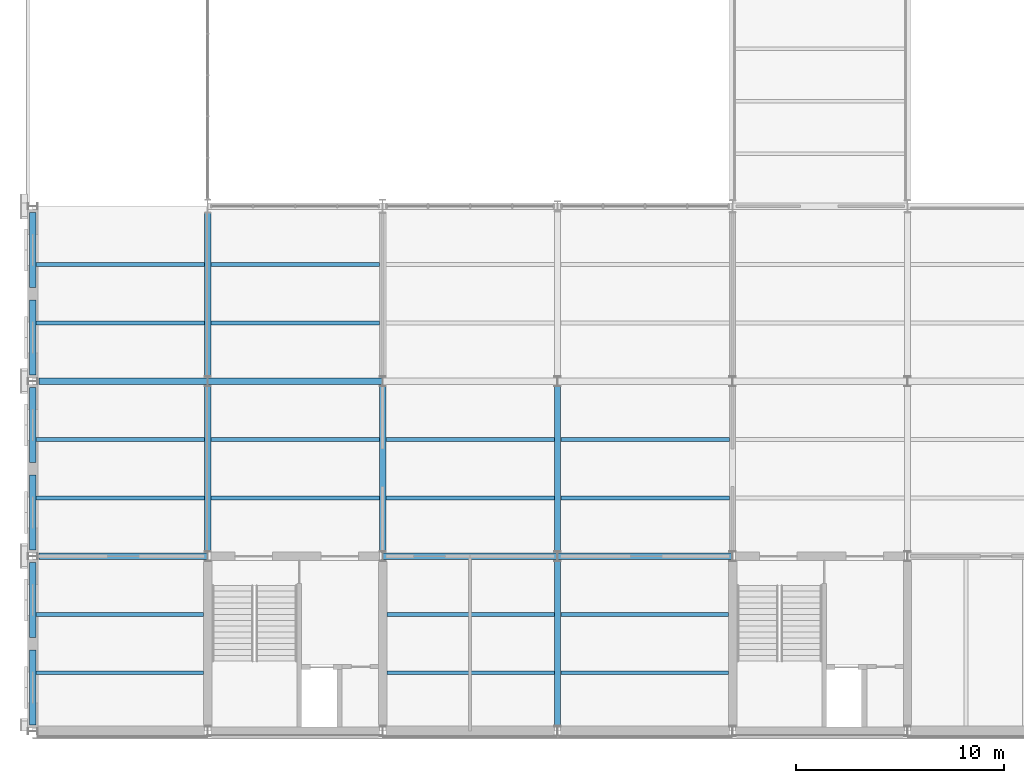
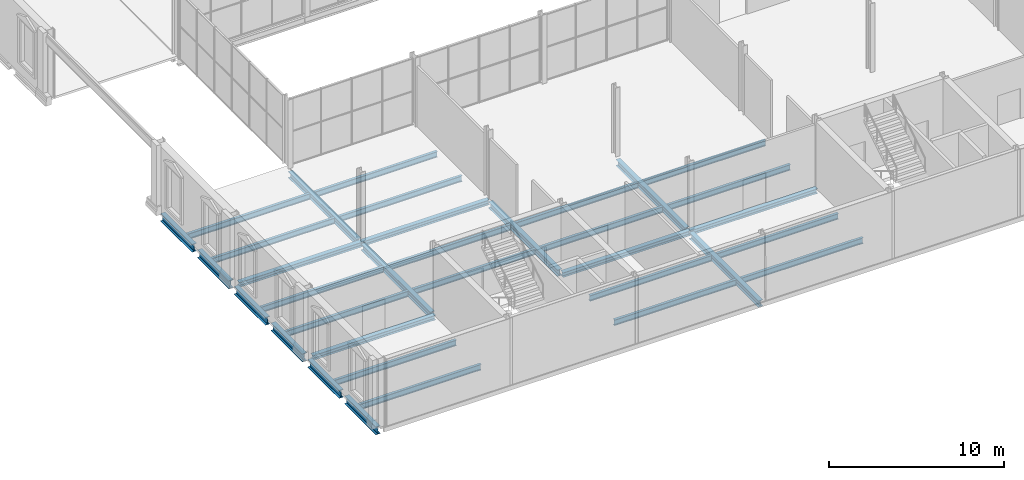
# One storey, part 9 of 61: 34 beams.
"""IFC4 building model written with IfcOpenShell, lengths in metres."""

from ifc_helpers import new_model, si_unit, direction, frame, origin, origin_2d, place, context, subcontext, project, spatial, i_section, extrude, material, material_profile, profile_set, type_object, element, save


model = new_model("IFC4")

# Units and contexts
model_context = context("Model", 3, precision=1e-05, world=origin(), true_north=direction((0.0, 1.0)))
body_context = subcontext(model_context, "Body", "Model", "MODEL_VIEW")
ifc_project = project(units=[si_unit("LENGTHUNIT", "METRE"), si_unit("AREAUNIT", "SQUARE_METRE"), si_unit("VOLUMEUNIT", "CUBIC_METRE"), si_unit("PLANEANGLEUNIT", "RADIAN"), si_unit("MASSUNIT", "GRAM", prefix="KILO")], contexts=[model_context])

# Site, building, storey
site_placement = place(None, origin())
site = spatial("IfcSite", under=ifc_project, at=site_placement, CompositionType="ELEMENT")
building_placement = place(site_placement, origin())
building = spatial("IfcBuilding", under=site, at=building_placement, Name="Galleria Vessillo Department Store", CompositionType="ELEMENT")
storey_placement = place(building_placement, frame((0.0, 0.0, 11.39990234375)))
storey = spatial("IfcBuildingStorey", under=building, at=storey_placement, Name="L02", CompositionType="ELEMENT", Elevation=11.39990234375)

# Beams
ifc_material_1 = material(Name="Steel S355 J2", Category="steel")
ifc_material_profile_1 = material_profile(ifc_material_1, i_section(OverallWidth=0.300048828125, OverallDepth=0.43994140625, WebThickness=0.011474609375, FlangeThickness=0.02099609375, FilletRadius=0.027099609375, at=origin_2d()), Name="HEA 450")
ifc_profile_set_1 = profile_set([ifc_material_profile_1], Name="Steel S355 J2")
beam_type_1 = type_object("IfcBeamType", Name="Floor girder HEA 450", PredefinedType="BEAM", material=ifc_profile_set_1)
beam_1_placement = place(storey_placement, frame((8.39990234375, 8.650146484375, -0.369873046875), z_axis=(0.0, 1.0, 0.0), x_axis=(-1.0, 0.0, 0.0)))
element("IfcBeam", 1, at=beam_1_placement, inside=storey, type_object=beam_type_1, Name="S-BM-L02-GI-y8400-8650", PredefinedType="BEAM", context=body_context, shape_type="SweptSolid", body=[
    extrude(i_section(OverallWidth=0.300048828125, OverallDepth=0.43994140625, WebThickness=0.011474609375, FlangeThickness=0.02099609375, FilletRadius=0.027099609375, at=origin_2d()), origin(), (0.0, 0.0, 1.0), 7.899658203125),
])
beam_2_placement = place(storey_placement, frame((8.39990234375, 17.050048828125, -0.369873046875), z_axis=(0.0, 1.0, 0.0), x_axis=(-1.0, 0.0, 0.0)))
element("IfcBeam", 2, at=beam_2_placement, inside=storey, type_object=beam_type_1, Name="S-BM-L02-GI-y8400-17050", PredefinedType="BEAM", context=body_context, shape_type="SweptSolid", body=[
    extrude(i_section(OverallWidth=0.300048828125, OverallDepth=0.43994140625, WebThickness=0.011474609375, FlangeThickness=0.02099609375, FilletRadius=0.027099609375, at=origin_2d()), origin(), (0.0, 0.0, 1.0), 7.81591796875),
])
for number, where, z_axis, x_axis, name in (
    (3, (16.800048828125, 8.650146484375, -0.369873046875), (0.0, 1.0, 0.0), (-1.0, 0.0, 0.0), "S-BM-L02-GI-y16800-8650"),
    (4, (25.199951171875, 0.250244140625, -0.369873046875), (0.0, 1.0, 0.0), (-1.0, 0.0, 0.0), "S-BM-L02-GI-y25200-250"),
    (5, (25.199951171875, 8.650146484375, -0.369873046875), (0.0, 1.0, 0.0), (-1.0, 0.0, 0.0), "S-BM-L02-GI-y25200-8650"),
):
    element("IfcBeam", number, at=place(storey_placement, frame(where, z_axis=z_axis, x_axis=x_axis)), inside=storey, type_object=beam_type_1, Name=name, PredefinedType="BEAM", context=body_context, shape_type="SweptSolid", body=[
        extrude(i_section(OverallWidth=0.300048828125, OverallDepth=0.43994140625, WebThickness=0.011474609375, FlangeThickness=0.02099609375, FilletRadius=0.027099609375, at=origin_2d()), origin(), (0.0, 0.0, 1.0), 7.899658203125),
    ])
ifc_material_2 = material(Name="Steel S355 J2", Category="steel")
ifc_material_profile_2 = material_profile(ifc_material_2, i_section(OverallWidth=0.179931640625, OverallDepth=0.39990234375, WebThickness=0.008544921875, FlangeThickness=0.013427734375, FilletRadius=0.02099609375, at=origin_2d()), Name="IPE 400")
ifc_profile_set_2 = profile_set([ifc_material_profile_2], Name="Steel S355 J2")
beam_type_2 = type_object("IfcBeamType", Name="Floor joist IPE 400", PredefinedType="JOIST", material=ifc_profile_set_2)
for number, where, z_axis, x_axis, name in (
    (6, (0.150146484375, 2.800048828125, -0.349853515625), (1.0, 0.0, 0.0), (0.0, 1.0, 0.0), "S-BM-L02-JO-x2800-150"),
    (7, (0.150146484375, 5.60009765625, -0.349853515625), (1.0, 0.0, 0.0), (0.0, 1.0, 0.0), "S-BM-L02-JO-x5600-150"),
):
    element("IfcBeam", number, at=place(storey_placement, frame(where, z_axis=z_axis, x_axis=x_axis)), inside=storey, type_object=beam_type_2, Name=name, PredefinedType="JOIST", context=body_context, shape_type="SweptSolid", body=[
        extrude(i_section(OverallWidth=0.179931640625, OverallDepth=0.39990234375, WebThickness=0.008544921875, FlangeThickness=0.013427734375, FilletRadius=0.02099609375, at=origin_2d()), origin(), (0.0, 0.0, 1.0), 8.0498046875),
    ])
for number, where, z_axis, x_axis, name in (
    (8, (0.150146484375, 11.199951171875, -0.349853515625), (1.0, 0.0, 0.0), (0.0, 1.0, 0.0), "S-BM-L02-JO-x11200-150"),
    (9, (0.150146484375, 14.0, -0.349853515625), (1.0, 0.0, 0.0), (0.0, 1.0, 0.0), "S-BM-L02-JO-x14000-150"),
    (10, (0.150146484375, 19.60009765625, -0.349853515625), (1.0, 0.0, 0.0), (0.0, 1.0, 0.0), "S-BM-L02-JO-x19600-150"),
    (11, (0.150146484375, 22.39990234375, -0.349853515625), (1.0, 0.0, 0.0), (0.0, 1.0, 0.0), "S-BM-L02-JO-x22400-150"),
):
    element("IfcBeam", number, at=place(storey_placement, frame(where, z_axis=z_axis, x_axis=x_axis)), inside=storey, type_object=beam_type_2, Name=name, PredefinedType="JOIST", context=body_context, shape_type="SweptSolid", body=[
        extrude(i_section(OverallWidth=0.179931640625, OverallDepth=0.39990234375, WebThickness=0.008544921875, FlangeThickness=0.013427734375, FilletRadius=0.02099609375, at=origin_2d()), origin(), (0.0, 0.0, 1.0), 8.099609375),
    ])
for number, where, z_axis, x_axis, name in (
    (12, (8.550048828125, 11.199951171875, -0.349853515625), (1.0, 0.0, 0.0), (0.0, 1.0, 0.0), "S-BM-L02-JO-x11200-8550"),
    (13, (8.550048828125, 14.0, -0.349853515625), (1.0, 0.0, 0.0), (0.0, 1.0, 0.0), "S-BM-L02-JO-x14000-8550"),
    (14, (8.550048828125, 19.60009765625, -0.349853515625), (1.0, 0.0, 0.0), (0.0, 1.0, 0.0), "S-BM-L02-JO-x19600-8550"),
    (15, (8.550048828125, 22.39990234375, -0.349853515625), (1.0, 0.0, 0.0), (0.0, 1.0, 0.0), "S-BM-L02-JO-x22400-8550"),
):
    element("IfcBeam", number, at=place(storey_placement, frame(where, z_axis=z_axis, x_axis=x_axis)), inside=storey, type_object=beam_type_2, Name=name, PredefinedType="JOIST", context=body_context, shape_type="SweptSolid", body=[
        extrude(i_section(OverallWidth=0.179931640625, OverallDepth=0.39990234375, WebThickness=0.008544921875, FlangeThickness=0.013427734375, FilletRadius=0.02099609375, at=origin_2d()), origin(), (0.0, 0.0, 1.0), 8.099853515625),
    ])
for number, where, z_axis, x_axis, name in (
    (16, (17.000244140625, 2.800048828125, -0.349853515625), (1.0, 0.0, 0.0), (0.0, 1.0, 0.0), "S-BM-L02-JO-x2800-17000"),
    (17, (17.000244140625, 5.60009765625, -0.349853515625), (1.0, 0.0, 0.0), (0.0, 1.0, 0.0), "S-BM-L02-JO-x5600-17000"),
):
    element("IfcBeam", number, at=place(storey_placement, frame(where, z_axis=z_axis, x_axis=x_axis)), inside=storey, type_object=beam_type_2, Name=name, PredefinedType="JOIST", context=body_context, shape_type="SweptSolid", body=[
        extrude(i_section(OverallWidth=0.179931640625, OverallDepth=0.39990234375, WebThickness=0.008544921875, FlangeThickness=0.013427734375, FilletRadius=0.02099609375, at=origin_2d()), origin(), (0.0, 0.0, 1.0), 8.049560546875),
    ])
for number, where, z_axis, x_axis, name in (
    (18, (16.9501953125, 11.199951171875, -0.349853515625), (1.0, 0.0, 0.0), (0.0, 1.0, 0.0), "S-BM-L02-JO-x11200-16950"),
    (19, (16.9501953125, 14.0, -0.349853515625), (1.0, 0.0, 0.0), (0.0, 1.0, 0.0), "S-BM-L02-JO-x14000-16950"),
):
    element("IfcBeam", number, at=place(storey_placement, frame(where, z_axis=z_axis, x_axis=x_axis)), inside=storey, type_object=beam_type_2, Name=name, PredefinedType="JOIST", context=body_context, shape_type="SweptSolid", body=[
        extrude(i_section(OverallWidth=0.179931640625, OverallDepth=0.39990234375, WebThickness=0.008544921875, FlangeThickness=0.013427734375, FilletRadius=0.02099609375, at=origin_2d()), origin(), (0.0, 0.0, 1.0), 8.099609375),
    ])
for number, where, z_axis, x_axis, name in (
    (20, (25.35009765625, 2.800048828125, -0.349853515625), (1.0, 0.0, 0.0), (0.0, 1.0, 0.0), "S-BM-L02-JO-x2800-25350"),
    (21, (25.35009765625, 5.60009765625, -0.349853515625), (1.0, 0.0, 0.0), (0.0, 1.0, 0.0), "S-BM-L02-JO-x5600-25350"),
):
    element("IfcBeam", number, at=place(storey_placement, frame(where, z_axis=z_axis, x_axis=x_axis)), inside=storey, type_object=beam_type_2, Name=name, PredefinedType="JOIST", context=body_context, shape_type="SweptSolid", body=[
        extrude(i_section(OverallWidth=0.179931640625, OverallDepth=0.39990234375, WebThickness=0.008544921875, FlangeThickness=0.013427734375, FilletRadius=0.02099609375, at=origin_2d()), origin(), (0.0, 0.0, 1.0), 8.0498046875),
    ])
for number, where, z_axis, x_axis, name in (
    (22, (25.35009765625, 11.199951171875, -0.349853515625), (1.0, 0.0, 0.0), (0.0, 1.0, 0.0), "S-BM-L02-JO-x11200-25350"),
    (23, (25.35009765625, 14.0, -0.349853515625), (1.0, 0.0, 0.0), (0.0, 1.0, 0.0), "S-BM-L02-JO-x14000-25350"),
):
    element("IfcBeam", number, at=place(storey_placement, frame(where, z_axis=z_axis, x_axis=x_axis)), inside=storey, type_object=beam_type_2, Name=name, PredefinedType="JOIST", context=body_context, shape_type="SweptSolid", body=[
        extrude(i_section(OverallWidth=0.179931640625, OverallDepth=0.39990234375, WebThickness=0.008544921875, FlangeThickness=0.013427734375, FilletRadius=0.02099609375, at=origin_2d()), origin(), (0.0, 0.0, 1.0), 8.099853515625),
    ])
ifc_material_3 = material(Name="Steel S355 J2", Category="steel")
ifc_material_profile_3 = material_profile(ifc_material_3, i_section(OverallWidth=0.300048828125, OverallDepth=0.330078125, WebThickness=0.009521484375, FlangeThickness=0.0166015625, FilletRadius=0.027099609375, at=origin_2d()), Name="HEA 340")
ifc_profile_set_3 = profile_set([ifc_material_profile_3], Name="Steel S355 J2")
beam_type_3 = type_object("IfcBeamType", Name="Floor tie girder HEA 340", PredefinedType="BEAM", material=ifc_profile_set_3)
beam_3_placement = place(storey_placement, frame((0.30517578125, 8.39990234375, -0.31494140625), z_axis=(1.0, 0.0, 0.0), x_axis=(0.0, 1.0, 0.0)))
element("IfcBeam", 24, at=beam_3_placement, inside=storey, type_object=beam_type_3, Name="S-BM-L02-TI-x8400-305", PredefinedType="BEAM", context=body_context, shape_type="SweptSolid", body=[
    extrude(i_section(OverallWidth=0.300048828125, OverallDepth=0.330078125, WebThickness=0.009521484375, FlangeThickness=0.0166015625, FilletRadius=0.027099609375, at=origin_2d()), origin(), (0.0, 0.0, 1.0), 8.08740234375),
])
for number, where, z_axis, x_axis, name in (
    (25, (16.807373046875, 8.39990234375, -0.31494140625), (1.0, 0.0, 0.0), (0.0, 1.0, 0.0), "S-BM-L02-TI-x8400-16807"),
    (26, (25.207275390625, 8.39990234375, -0.31494140625), (1.0, 0.0, 0.0), (0.0, 1.0, 0.0), "S-BM-L02-TI-x8400-25207"),
):
    element("IfcBeam", number, at=place(storey_placement, frame(where, z_axis=z_axis, x_axis=x_axis)), inside=storey, type_object=beam_type_3, Name=name, PredefinedType="BEAM", context=body_context, shape_type="SweptSolid", body=[
        extrude(i_section(OverallWidth=0.300048828125, OverallDepth=0.330078125, WebThickness=0.009521484375, FlangeThickness=0.0166015625, FilletRadius=0.027099609375, at=origin_2d()), origin(), (0.0, 0.0, 1.0), 8.38525390625),
    ])
beam_4_placement = place(storey_placement, frame((0.30517578125, 16.800048828125, -0.31494140625), z_axis=(1.0, 0.0, 0.0), x_axis=(0.0, 1.0, 0.0)))
element("IfcBeam", 27, at=beam_4_placement, inside=storey, type_object=beam_type_3, Name="S-BM-L02-TI-x16800-305", PredefinedType="BEAM", context=body_context, shape_type="SweptSolid", body=[
    extrude(i_section(OverallWidth=0.300048828125, OverallDepth=0.330078125, WebThickness=0.009521484375, FlangeThickness=0.0166015625, FilletRadius=0.027099609375, at=origin_2d()), origin(), (0.0, 0.0, 1.0), 8.08740234375),
])
beam_5_placement = place(storey_placement, frame((8.407470703125, 16.800048828125, -0.31494140625), z_axis=(1.0, 0.0, 0.0), x_axis=(0.0, 1.0, 0.0)))
element("IfcBeam", 28, at=beam_5_placement, inside=storey, type_object=beam_type_3, Name="S-BM-L02-TI-x16800-8407", PredefinedType="BEAM", context=body_context, shape_type="SweptSolid", body=[
    extrude(i_section(OverallWidth=0.300048828125, OverallDepth=0.330078125, WebThickness=0.009521484375, FlangeThickness=0.0166015625, FilletRadius=0.027099609375, at=origin_2d()), origin(), (0.0, 0.0, 1.0), 8.38525390625),
])
ifc_material_4 = material(Name="Steel S355 J2", Category="steel")
ifc_material_profile_4 = material_profile(ifc_material_4, i_section(OverallWidth=0.300048828125, OverallDepth=0.550048828125, WebThickness=0.014892578125, FlangeThickness=0.029052734375, FilletRadius=0.027099609375, at=origin_2d()), Name="HEB 550")
ifc_profile_set_4 = profile_set([ifc_material_profile_4], Name="Steel S355 J2")
beam_type_4 = type_object("IfcBeamType", Name="Spandrel beam HEB 550", PredefinedType="SPANDREL", material=ifc_profile_set_4)
beam_6_placement = place(storey_placement, frame((0.0, 0.30517578125, -0.4248046875), z_axis=(0.0, 1.0, 0.0), x_axis=(-1.0, 0.0, 0.0)))
element("IfcBeam", 29, at=beam_6_placement, inside=storey, type_object=beam_type_4, Name="S-BM-L02-SP-y0-305", PredefinedType="SPANDREL", context=body_context, shape_type="SweptSolid", body=[
    extrude(i_section(OverallWidth=0.300048828125, OverallDepth=0.550048828125, WebThickness=0.014892578125, FlangeThickness=0.029052734375, FilletRadius=0.027099609375, at=origin_2d()), origin(), (0.0, 0.0, 1.0), 3.589599609375),
])
for number, where, z_axis, x_axis, name in (
    (30, (0.0, 4.505126953125, -0.4248046875), (0.0, 1.0, 0.0), (-1.0, 0.0, 0.0), "S-BM-L02-SP-y0-4505"),
    (31, (0.0, 8.705078125, -0.4248046875), (0.0, 1.0, 0.0), (-1.0, 0.0, 0.0), "S-BM-L02-SP-y0-8705"),
    (32, (0.0, 12.905029296875, -0.4248046875), (0.0, 1.0, 0.0), (-1.0, 0.0, 0.0), "S-BM-L02-SP-y0-12905"),
):
    element("IfcBeam", number, at=place(storey_placement, frame(where, z_axis=z_axis, x_axis=x_axis)), inside=storey, type_object=beam_type_4, Name=name, PredefinedType="SPANDREL", context=body_context, shape_type="SweptSolid", body=[
        extrude(i_section(OverallWidth=0.300048828125, OverallDepth=0.550048828125, WebThickness=0.014892578125, FlangeThickness=0.029052734375, FilletRadius=0.027099609375, at=origin_2d()), origin(), (0.0, 0.0, 1.0), 3.58984375),
    ])
for number, where, z_axis, x_axis, name in (
    (33, (0.0, 17.105224609375, -0.4248046875), (0.0, 1.0, 0.0), (-1.0, 0.0, 0.0), "S-BM-L02-SP-y0-17105"),
    (34, (0.0, 21.30517578125, -0.4248046875), (0.0, 1.0, 0.0), (-1.0, 0.0, 0.0), "S-BM-L02-SP-y0-21305"),
):
    element("IfcBeam", number, at=place(storey_placement, frame(where, z_axis=z_axis, x_axis=x_axis)), inside=storey, type_object=beam_type_4, Name=name, PredefinedType="SPANDREL", context=body_context, shape_type="SweptSolid", body=[
        extrude(i_section(OverallWidth=0.300048828125, OverallDepth=0.550048828125, WebThickness=0.014892578125, FlangeThickness=0.029052734375, FilletRadius=0.027099609375, at=origin_2d()), origin(), (0.0, 0.0, 1.0), 3.589599609375),
    ])

save(model, "model.ifc")
